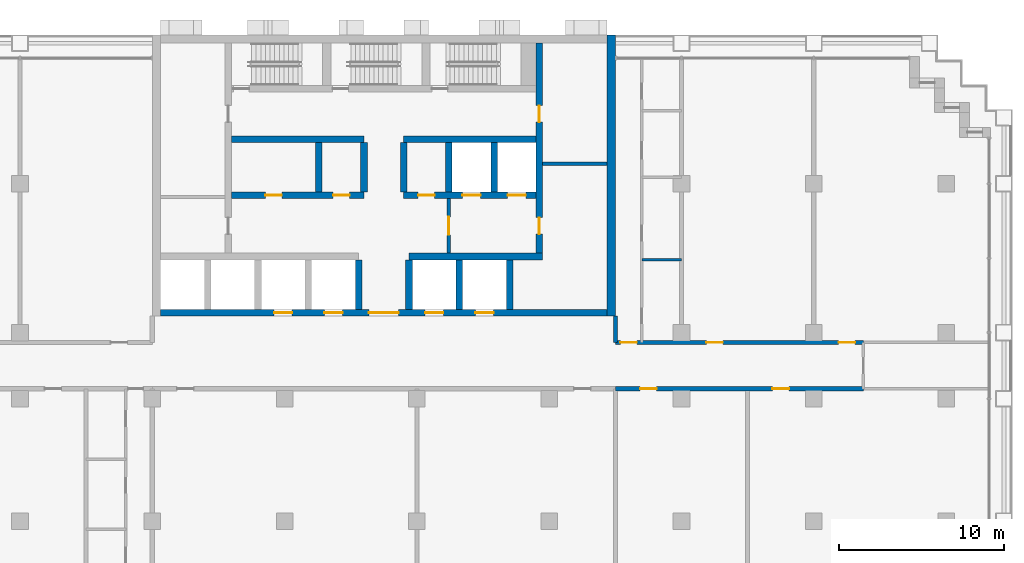
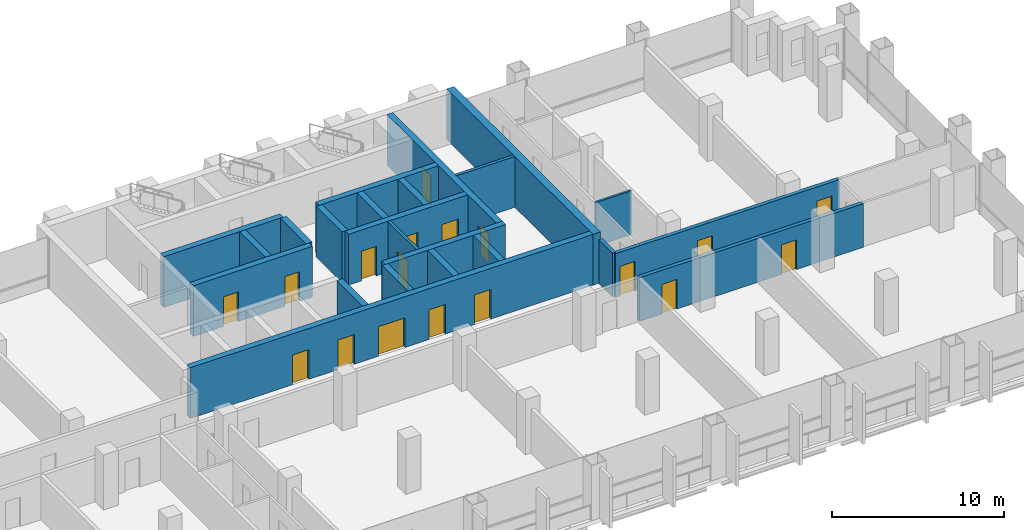
# One storey, part 8 of 13: 23 walls, 18 doors, 18 openings.
"""IFC4 building model written with IfcOpenShell, lengths in metres."""

from ifc_helpers import new_model, si_unit, direction, frame, frame_2d, origin, place, context, subcontext, project, spatial, rectangle, extrude, material, layer, layer_set, type_object, element, fill, save


model = new_model("IFC4")

# Units and contexts
model_context = context("Model", 3, precision=1e-05, world=origin(), true_north=direction((0.0, 1.0)))
body_context = subcontext(model_context, "Body", "Model", "MODEL_VIEW")
ifc_project = project(units=[si_unit("LENGTHUNIT", "METRE"), si_unit("AREAUNIT", "SQUARE_METRE"), si_unit("VOLUMEUNIT", "CUBIC_METRE"), si_unit("PLANEANGLEUNIT", "RADIAN"), si_unit("MASSUNIT", "GRAM", prefix="KILO")], contexts=[model_context])

# Site, building, storey
site_placement = place(None, origin())
site = spatial("IfcSite", under=ifc_project, at=site_placement, CompositionType="ELEMENT")
building_placement = place(site_placement, origin())
building = spatial("IfcBuilding", under=site, at=building_placement, Name="Vidyagriha Tower", CompositionType="ELEMENT")
storey_placement = place(building_placement, frame((0.0, 0.0, 29.89990234375)))
storey = spatial("IfcBuildingStorey", under=building, at=storey_placement, Name="L07", CompositionType="ELEMENT", Elevation=29.89990234375)

# Wall, openings, doors
ifc_material_1 = material(Name="Concrete C60/75", Category="concrete")
ifc_layer_1 = layer(ifc_material_1, 0.39990234375)
ifc_layer_set_1 = layer_set([ifc_layer_1], Name="Concrete C60/75")
wall_type_1 = type_object("IfcWallType", Name="Core shear wall 400 mm", PredefinedType="SHEAR", material=ifc_layer_set_1)
wall_1_placement = place(storey_placement, frame((9.39990234375, 6.800048828125, 0.0), z_axis=(0.0, 0.0, 1.0), x_axis=(0.0, 1.0, 0.0)))
wall_1 = element("IfcWall", 1, at=wall_1_placement, inside=storey, type_object=wall_type_1, Name="Core east spine wall", PredefinedType="SHEAR", context=body_context, shape_type="SweptSolid", body=[
    extrude(rectangle(XDim=12.699951171875, YDim=0.39990234375, at=frame_2d((6.35009765625, 0.0))), origin(), (0.0, 0.0, 1.0), 3.60009765625),
])
opening_1_placement = place(wall_1_placement, frame((1.14990234375, 0.0, 0.0)))
opening_1 = element("IfcOpeningElement", 2, at=opening_1_placement, cuts=wall_1, Name="Opening D07-11", PredefinedType="OPENING", context=body_context, shape_type="SweptSolid", body=[
    extrude(rectangle(XDim=1.0, YDim=2.10009765625, at=frame_2d((0.5, 1.050048828125))), frame((0.0, 0.2099609375, 0.0), z_axis=(0.0, -1.0, 0.0), x_axis=(1.0, 0.0, 0.0)), (0.0, 0.0, 1.0), 0.419921875),
])
opening_2_placement = place(wall_1_placement, frame((7.925048828125, 0.0, 0.0)))
opening_2 = element("IfcOpeningElement", 3, at=opening_2_placement, cuts=wall_1, Name="Opening D07-12", PredefinedType="OPENING", context=body_context, shape_type="SweptSolid", body=[
    extrude(rectangle(XDim=1.0, YDim=2.10009765625, at=frame_2d((0.5, 1.050048828125))), frame((0.0, 0.2099609375, 0.0), z_axis=(0.0, -1.0, 0.0), x_axis=(1.0, 0.0, 0.0)), (0.0, 0.0, 1.0), 0.419921875),
])
ifc_material_2 = material(Name="Hollow metal door leaf")
door_type_1 = type_object("IfcDoorType", Name="Core room door 1000 x 2100 mm EI 60", OperationType="NOTDEFINED", PredefinedType="DOOR", material=ifc_material_2)
door_1_placement = place(opening_1_placement, origin())
door_1 = element("IfcDoor", 4, at=door_1_placement, inside=storey, type_object=door_type_1, Name="Door Cleaners Store 07.E1", OperationType="SINGLE_SWING_RIGHT", OverallHeight=2.10009765625, OverallWidth=1.0, PredefinedType="DOOR", context=body_context, shape_type="SweptSolid", body=[
    extrude(rectangle(XDim=1.0, YDim=2.10009765625, at=frame_2d((0.5, 1.050048828125))), frame((0.0, 0.02490234375, 0.0), z_axis=(0.0, -1.0, 0.0), x_axis=(1.0, 0.0, 0.0)), (0.0, 0.0, 1.0), 0.050048828125),
])
fill(opening_1, door_1)
door_2_placement = place(opening_2_placement, origin())
door_2 = element("IfcDoor", 5, at=door_2_placement, inside=storey, type_object=door_type_1, Name="Door Pressurisation Plant Room 07.E2", OperationType="SINGLE_SWING_LEFT", OverallHeight=2.10009765625, OverallWidth=1.0, PredefinedType="DOOR", context=body_context, shape_type="SweptSolid", body=[
    extrude(rectangle(XDim=1.0, YDim=2.10009765625, at=frame_2d((0.5, 1.050048828125))), frame((0.0, 0.02490234375, 0.0), z_axis=(0.0, -1.0, 0.0), x_axis=(1.0, 0.0, 0.0)), (0.0, 0.0, 1.0), 0.050048828125),
])
fill(opening_2, door_2)

wall_2_placement = place(storey_placement, frame((-13.5, 3.199951171875, 0.0)))
wall_2 = element("IfcWall", 6, at=wall_2_placement, inside=storey, type_object=wall_type_1, Name="Core front wall", PredefinedType="SHEAR", context=body_context, shape_type="SweptSolid", body=[
    extrude(rectangle(XDim=27.0, YDim=0.39990234375, at=frame_2d((13.5, 0.0))), origin(), (0.0, 0.0, 1.0), 3.60009765625),
])
opening_3_placement = place(wall_2_placement, frame((6.861083984375, 0.0, 0.0)))
opening_3 = element("IfcOpeningElement", 7, at=opening_3_placement, cuts=wall_2, Name="Opening LD07-01", PredefinedType="OPENING", context=body_context, shape_type="SweptSolid", body=[
    extrude(rectangle(XDim=1.10009765625, YDim=2.10009765625, at=frame_2d((0.550048828125, 1.050048828125))), frame((0.0, 0.2099609375, 0.0), z_axis=(0.0, -1.0, 0.0), x_axis=(1.0, 0.0, 0.0)), (0.0, 0.0, 1.0), 0.419921875),
])
opening_4_placement = place(wall_2_placement, frame((9.905517578125, 0.0, 0.0)))
opening_4 = element("IfcOpeningElement", 8, at=opening_4_placement, cuts=wall_2, Name="Opening LD07-02", PredefinedType="OPENING", context=body_context, shape_type="SweptSolid", body=[
    extrude(rectangle(XDim=1.10009765625, YDim=2.10009765625, at=frame_2d((0.550048828125, 1.050048828125))), frame((0.0, 0.2099609375, 0.0), z_axis=(0.0, -1.0, 0.0), x_axis=(1.0, 0.0, 0.0)), (0.0, 0.0, 1.0), 0.419921875),
])
opening_5_placement = place(wall_2_placement, frame((15.994384765625, 0.0, 0.0)))
opening_5 = element("IfcOpeningElement", 9, at=opening_5_placement, cuts=wall_2, Name="Opening LD07-03", PredefinedType="OPENING", context=body_context, shape_type="SweptSolid", body=[
    extrude(rectangle(XDim=1.10009765625, YDim=2.10009765625, at=frame_2d((0.550048828125, 1.050048828125))), frame((0.0, 0.2099609375, 0.0), z_axis=(0.0, -1.0, 0.0), x_axis=(1.0, 0.0, 0.0)), (0.0, 0.0, 1.0), 0.419921875),
])
opening_6_placement = place(wall_2_placement, frame((19.038818359375, 0.0, 0.0)))
opening_6 = element("IfcOpeningElement", 10, at=opening_6_placement, cuts=wall_2, Name="Opening LD07-04", PredefinedType="OPENING", context=body_context, shape_type="SweptSolid", body=[
    extrude(rectangle(XDim=1.10009765625, YDim=2.10009765625, at=frame_2d((0.550048828125, 1.050048828125))), frame((0.0, 0.2099609375, 0.0), z_axis=(0.0, -1.0, 0.0), x_axis=(1.0, 0.0, 0.0)), (0.0, 0.0, 1.0), 0.419921875),
])
opening_7_placement = place(wall_2_placement, frame((12.60009765625, 0.0, 0.0)))
opening_7 = element("IfcOpeningElement", 11, at=opening_7_placement, cuts=wall_2, Name="Opening D07-01", PredefinedType="OPENING", context=body_context, shape_type="SweptSolid", body=[
    extrude(rectangle(XDim=1.800048828125, YDim=2.10009765625, at=frame_2d((0.89990234375, 1.050048828125))), frame((0.0, 0.2099609375, 0.0), z_axis=(0.0, -1.0, 0.0), x_axis=(1.0, 0.0, 0.0)), (0.0, 0.0, 1.0), 0.419921875),
])
ifc_material_3 = material(Name="Hollow metal door leaf")
door_type_2 = type_object("IfcDoorType", Name="Core lobby double door 1800 x 2100 mm EI 60", OperationType="NOTDEFINED", PredefinedType="DOOR", material=ifc_material_3)
door_3_placement = place(opening_7_placement, frame((1.800048828125, 0.0, 0.0), z_axis=(0.0, 0.0, 1.0), x_axis=(-1.0, 0.0, 0.0)))
door_3 = element("IfcDoor", 12, at=door_3_placement, inside=storey, type_object=door_type_2, Name="Core entrance door L07", OperationType="DOUBLE_DOOR_SINGLE_SWING", OverallHeight=2.10009765625, OverallWidth=1.800048828125, PredefinedType="DOOR", context=body_context, shape_type="SweptSolid", body=[
    extrude(rectangle(XDim=1.800048828125, YDim=2.10009765625, at=frame_2d((0.89990234375, 1.050048828125))), frame((0.0, 0.02490234375, 0.0), z_axis=(0.0, -1.0, 0.0), x_axis=(1.0, 0.0, 0.0)), (0.0, 0.0, 1.0), 0.050048828125),
])
fill(opening_7, door_3)
ifc_material_4 = material(Name="Stainless steel sliding door panel", Category="steel")
door_type_3 = type_object("IfcDoorType", Name="Lift landing door 1100 x 2100 mm EI 90", OperationType="NOTDEFINED", PredefinedType="DOOR", material=ifc_material_4)
door_4_placement = place(opening_3_placement, origin())
door_4 = element("IfcDoor", 13, at=door_4_placement, inside=storey, type_object=door_type_3, Name="Landing door LR1 L07", OperationType="SLIDING_TO_LEFT", OverallHeight=2.10009765625, OverallWidth=1.10009765625, PredefinedType="DOOR", context=body_context, shape_type="SweptSolid", body=[
    extrude(rectangle(XDim=1.10009765625, YDim=2.10009765625, at=frame_2d((0.550048828125, 1.050048828125))), frame((0.0, 0.02490234375, 0.0), z_axis=(0.0, -1.0, 0.0), x_axis=(1.0, 0.0, 0.0)), (0.0, 0.0, 1.0), 0.050048828125),
])
fill(opening_3, door_4)
door_5_placement = place(opening_4_placement, origin())
door_5 = element("IfcDoor", 14, at=door_5_placement, inside=storey, type_object=door_type_3, Name="Landing door LR2 L07", OperationType="SLIDING_TO_LEFT", OverallHeight=2.10009765625, OverallWidth=1.10009765625, PredefinedType="DOOR", context=body_context, shape_type="SweptSolid", body=[
    extrude(rectangle(XDim=1.10009765625, YDim=2.10009765625, at=frame_2d((0.550048828125, 1.050048828125))), frame((0.0, 0.02490234375, 0.0), z_axis=(0.0, -1.0, 0.0), x_axis=(1.0, 0.0, 0.0)), (0.0, 0.0, 1.0), 0.050048828125),
])
fill(opening_4, door_5)
door_6_placement = place(opening_5_placement, origin())
door_6 = element("IfcDoor", 15, at=door_6_placement, inside=storey, type_object=door_type_3, Name="Landing door LR3 L07", OperationType="SLIDING_TO_LEFT", OverallHeight=2.10009765625, OverallWidth=1.10009765625, PredefinedType="DOOR", context=body_context, shape_type="SweptSolid", body=[
    extrude(rectangle(XDim=1.10009765625, YDim=2.10009765625, at=frame_2d((0.550048828125, 1.050048828125))), frame((0.0, 0.02490234375, 0.0), z_axis=(0.0, -1.0, 0.0), x_axis=(1.0, 0.0, 0.0)), (0.0, 0.0, 1.0), 0.050048828125),
])
fill(opening_5, door_6)
door_7_placement = place(opening_6_placement, origin())
door_7 = element("IfcDoor", 16, at=door_7_placement, inside=storey, type_object=door_type_3, Name="Landing door LR4 L07", OperationType="SLIDING_TO_LEFT", OverallHeight=2.10009765625, OverallWidth=1.10009765625, PredefinedType="DOOR", context=body_context, shape_type="SweptSolid", body=[
    extrude(rectangle(XDim=1.10009765625, YDim=2.10009765625, at=frame_2d((0.550048828125, 1.050048828125))), frame((0.0, 0.02490234375, 0.0), z_axis=(0.0, -1.0, 0.0), x_axis=(1.0, 0.0, 0.0)), (0.0, 0.0, 1.0), 0.050048828125),
])
fill(opening_6, door_7)

# Walls
wall_3_placement = place(storey_placement, frame((1.522216796875, 6.60009765625, 0.0)))
element("IfcWall", 17, at=wall_3_placement, inside=storey, type_object=wall_type_1, Name="Core lobby south wall east", PredefinedType="SHEAR", context=body_context, shape_type="SweptSolid", body=[
    extrude(rectangle(XDim=8.077880859375, YDim=0.39990234375, at=frame_2d((4.0390625, 0.0))), origin(), (0.0, 0.0, 1.0), 3.60009765625),
])
for number, where, z_axis, x_axis, name in (
    (18, (-1.522216796875, 3.39990234375, 0.0), (0.0, 0.0, 1.0), (0.0, 1.0, 0.0), "Core bay wall S4"),
    (19, (1.522216796875, 3.39990234375, 0.0), (0.0, 0.0, 1.0), (0.0, 1.0, 0.0), "Core bay wall S5"),
    (20, (4.566650390625, 3.39990234375, 0.0), (0.0, 0.0, 1.0), (0.0, 1.0, 0.0), "Core bay wall S6"),
    (21, (7.611083984375, 3.39990234375, 0.0), (0.0, 0.0, 1.0), (0.0, 1.0, 0.0), "Core bay wall S7"),
):
    element("IfcWall", number, at=place(storey_placement, frame(where, z_axis=z_axis, x_axis=x_axis)), inside=storey, type_object=wall_type_1, Name=name, PredefinedType="SHEAR", context=body_context, shape_type="SweptSolid", body=[
        extrude(rectangle(XDim=3.0, YDim=0.39990234375, at=frame_2d((1.5, 0.0))), origin(), (0.0, 0.0, 1.0), 3.60009765625),
    ])

# Wall, openings, doors
wall_4_placement = place(storey_placement, frame((-9.199951171875, 10.300048828125, 0.0)))
wall_4 = element("IfcWall", 22, at=wall_4_placement, inside=storey, type_object=wall_type_1, Name="Core row N front wall", PredefinedType="SHEAR", context=body_context, shape_type="SweptSolid", body=[
    extrude(rectangle(XDim=8.0, YDim=0.39990234375, at=frame_2d((4.0, 0.0))), origin(), (0.0, 0.0, 1.0), 3.60009765625),
])
opening_8_placement = place(wall_4_placement, frame((2.033203125, 0.0, 0.0)))
opening_8 = element("IfcOpeningElement", 23, at=opening_8_placement, cuts=wall_4, Name="Opening D07-02", PredefinedType="OPENING", context=body_context, shape_type="SweptSolid", body=[
    extrude(rectangle(XDim=1.0, YDim=2.10009765625, at=frame_2d((0.5, 1.050048828125))), frame((0.0, 0.2099609375, 0.0), z_axis=(0.0, -1.0, 0.0), x_axis=(1.0, 0.0, 0.0)), (0.0, 0.0, 1.0), 0.419921875),
])
opening_9_placement = place(wall_4_placement, frame((6.13330078125, 0.0, 0.0)))
opening_9 = element("IfcOpeningElement", 24, at=opening_9_placement, cuts=wall_4, Name="Opening D07-03", PredefinedType="OPENING", context=body_context, shape_type="SweptSolid", body=[
    extrude(rectangle(XDim=1.0, YDim=2.10009765625, at=frame_2d((0.5, 1.050048828125))), frame((0.0, 0.2099609375, 0.0), z_axis=(0.0, -1.0, 0.0), x_axis=(1.0, 0.0, 0.0)), (0.0, 0.0, 1.0), 0.419921875),
])
door_8_placement = place(opening_8_placement, frame((1.0, 0.0, 0.0), z_axis=(0.0, 0.0, 1.0), x_axis=(-1.0, 0.0, 0.0)))
door_8 = element("IfcDoor", 25, at=door_8_placement, inside=storey, type_object=door_type_1, Name="Door Switchgear Room 07.14", OperationType="SINGLE_SWING_RIGHT", OverallHeight=2.10009765625, OverallWidth=1.0, PredefinedType="DOOR", context=body_context, shape_type="SweptSolid", body=[
    extrude(rectangle(XDim=1.0, YDim=2.10009765625, at=frame_2d((0.5, 1.050048828125))), frame((0.0, 0.02490234375, 0.0), z_axis=(0.0, -1.0, 0.0), x_axis=(1.0, 0.0, 0.0)), (0.0, 0.0, 1.0), 0.050048828125),
])
fill(opening_8, door_8)
door_9_placement = place(opening_9_placement, frame((1.0, 0.0, 0.0), z_axis=(0.0, 0.0, 1.0), x_axis=(-1.0, 0.0, 0.0)))
door_9 = element("IfcDoor", 26, at=door_9_placement, inside=storey, type_object=door_type_1, Name="Door Storage Room 07.15", OperationType="SINGLE_SWING_LEFT", OverallHeight=2.10009765625, OverallWidth=1.0, PredefinedType="DOOR", context=body_context, shape_type="SweptSolid", body=[
    extrude(rectangle(XDim=1.0, YDim=2.10009765625, at=frame_2d((0.5, 1.050048828125))), frame((0.0, 0.02490234375, 0.0), z_axis=(0.0, -1.0, 0.0), x_axis=(1.0, 0.0, 0.0)), (0.0, 0.0, 1.0), 0.050048828125),
])
fill(opening_9, door_9)

# Wall
wall_5_placement = place(storey_placement, frame((-9.199951171875, 13.699951171875, 0.0)))
element("IfcWall", 27, at=wall_5_placement, inside=storey, type_object=wall_type_1, Name="Core row N rear wall", PredefinedType="SHEAR", context=body_context, shape_type="SweptSolid", body=[
    extrude(rectangle(XDim=8.0, YDim=0.39990234375, at=frame_2d((4.0, 0.0))), origin(), (0.0, 0.0, 1.0), 3.60009765625),
])

# Wall, openings, doors
wall_6_placement = place(storey_placement, frame((1.199951171875, 10.300048828125, 0.0)))
wall_6 = element("IfcWall", 28, at=wall_6_placement, inside=storey, type_object=wall_type_1, Name="Core row N front wall", PredefinedType="SHEAR", context=body_context, shape_type="SweptSolid", body=[
    extrude(rectangle(XDim=8.0, YDim=0.39990234375, at=frame_2d((4.0, 0.0))), origin(), (0.0, 0.0, 1.0), 3.60009765625),
])
opening_10_placement = place(wall_6_placement, frame((3.550048828125, 0.0, 0.0)))
opening_10 = element("IfcOpeningElement", 29, at=opening_10_placement, cuts=wall_6, Name="Opening LD07-05", PredefinedType="OPENING", context=body_context, shape_type="SweptSolid", body=[
    extrude(rectangle(XDim=1.10009765625, YDim=2.10009765625, at=frame_2d((0.550048828125, 1.050048828125))), frame((0.0, 0.2099609375, 0.0), z_axis=(0.0, -1.0, 0.0), x_axis=(1.0, 0.0, 0.0)), (0.0, 0.0, 1.0), 0.419921875),
])
opening_11_placement = place(wall_6_placement, frame((6.283203125, 0.0, 0.0)))
opening_11 = element("IfcOpeningElement", 30, at=opening_11_placement, cuts=wall_6, Name="Opening LD07-06", PredefinedType="OPENING", context=body_context, shape_type="SweptSolid", body=[
    extrude(rectangle(XDim=1.10009765625, YDim=2.10009765625, at=frame_2d((0.550048828125, 1.050048828125))), frame((0.0, 0.2099609375, 0.0), z_axis=(0.0, -1.0, 0.0), x_axis=(1.0, 0.0, 0.0)), (0.0, 0.0, 1.0), 0.419921875),
])
opening_12_placement = place(wall_6_placement, frame((0.86669921875, 0.0, 0.0)))
opening_12 = element("IfcOpeningElement", 31, at=opening_12_placement, cuts=wall_6, Name="Opening D07-04", PredefinedType="OPENING", context=body_context, shape_type="SweptSolid", body=[
    extrude(rectangle(XDim=1.0, YDim=2.10009765625, at=frame_2d((0.5, 1.050048828125))), frame((0.0, 0.2099609375, 0.0), z_axis=(0.0, -1.0, 0.0), x_axis=(1.0, 0.0, 0.0)), (0.0, 0.0, 1.0), 0.419921875),
])
door_10_placement = place(opening_12_placement, frame((1.0, 0.0, 0.0), z_axis=(0.0, 0.0, 1.0), x_axis=(-1.0, 0.0, 0.0)))
door_10 = element("IfcDoor", 32, at=door_10_placement, inside=storey, type_object=door_type_1, Name="Door Communications Room 07.16", OperationType="SINGLE_SWING_LEFT", OverallHeight=2.10009765625, OverallWidth=1.0, PredefinedType="DOOR", context=body_context, shape_type="SweptSolid", body=[
    extrude(rectangle(XDim=1.0, YDim=2.10009765625, at=frame_2d((0.5, 1.050048828125))), frame((0.0, 0.02490234375, 0.0), z_axis=(0.0, -1.0, 0.0), x_axis=(1.0, 0.0, 0.0)), (0.0, 0.0, 1.0), 0.050048828125),
])
fill(opening_12, door_10)
door_11_placement = place(opening_10_placement, origin())
door_11 = element("IfcDoor", 33, at=door_11_placement, inside=storey, type_object=door_type_3, Name="Landing door FF1 L07", OperationType="SLIDING_TO_LEFT", OverallHeight=2.10009765625, OverallWidth=1.10009765625, PredefinedType="DOOR", context=body_context, shape_type="SweptSolid", body=[
    extrude(rectangle(XDim=1.10009765625, YDim=2.10009765625, at=frame_2d((0.550048828125, 1.050048828125))), frame((0.0, 0.02490234375, 0.0), z_axis=(0.0, -1.0, 0.0), x_axis=(1.0, 0.0, 0.0)), (0.0, 0.0, 1.0), 0.050048828125),
])
fill(opening_10, door_11)
door_12_placement = place(opening_11_placement, origin())
door_12 = element("IfcDoor", 34, at=door_12_placement, inside=storey, type_object=door_type_3, Name="Landing door FF2 L07", OperationType="SLIDING_TO_LEFT", OverallHeight=2.10009765625, OverallWidth=1.10009765625, PredefinedType="DOOR", context=body_context, shape_type="SweptSolid", body=[
    extrude(rectangle(XDim=1.10009765625, YDim=2.10009765625, at=frame_2d((0.550048828125, 1.050048828125))), frame((0.0, 0.02490234375, 0.0), z_axis=(0.0, -1.0, 0.0), x_axis=(1.0, 0.0, 0.0)), (0.0, 0.0, 1.0), 0.050048828125),
])
fill(opening_11, door_12)

# Walls
wall_7_placement = place(storey_placement, frame((1.199951171875, 13.699951171875, 0.0)))
element("IfcWall", 35, at=wall_7_placement, inside=storey, type_object=wall_type_1, Name="Core row N rear wall", PredefinedType="SHEAR", context=body_context, shape_type="SweptSolid", body=[
    extrude(rectangle(XDim=8.0, YDim=0.39990234375, at=frame_2d((4.0, 0.0))), origin(), (0.0, 0.0, 1.0), 3.60009765625),
])
for number, where, z_axis, x_axis, name in (
    (36, (-3.933349609375, 10.5, 0.0), (0.0, 0.0, 1.0), (0.0, 1.0, 0.0), "Core bay wall N2"),
    (37, (-1.199951171875, 10.5, 0.0), (0.0, 0.0, 1.0), (0.0, 1.0, 0.0), "Core bay wall N3"),
    (38, (1.199951171875, 10.5, 0.0), (0.0, 0.0, 1.0), (0.0, 1.0, 0.0), "Core bay wall N4"),
    (39, (3.933349609375, 10.5, 0.0), (0.0, 0.0, 1.0), (0.0, 1.0, 0.0), "Core bay wall N5"),
    (40, (6.666748046875, 10.5, 0.0), (0.0, 0.0, 1.0), (0.0, 1.0, 0.0), "Core bay wall N6"),
):
    element("IfcWall", number, at=place(storey_placement, frame(where, z_axis=z_axis, x_axis=x_axis)), inside=storey, type_object=wall_type_1, Name=name, PredefinedType="SHEAR", context=body_context, shape_type="SweptSolid", body=[
        extrude(rectangle(XDim=3.0, YDim=0.39990234375, at=frame_2d((1.5, 0.0))), origin(), (0.0, 0.0, 1.0), 3.60009765625),
    ])
ifc_material_5 = material(Name="Concrete C60/75", Category="concrete")
ifc_layer_2 = layer(ifc_material_5, 0.5)
ifc_layer_set_2 = layer_set([ifc_layer_2], Name="Concrete C60/75")
wall_type_2 = type_object("IfcWallType", Name="Core shear wall 500 mm", PredefinedType="SHEAR", material=ifc_layer_set_2)
wall_8_placement = place(storey_placement, frame((13.75, 3.0, 0.0), z_axis=(0.0, 0.0, 1.0), x_axis=(0.0, 1.0, 0.0)))
element("IfcWall", 41, at=wall_8_placement, inside=storey, type_object=wall_type_2, Name="Core east wall", PredefinedType="SHEAR", context=body_context, shape_type="SweptSolid", body=[
    extrude(rectangle(XDim=17.0, YDim=0.5, at=frame_2d((8.5, 0.0))), origin(), (0.0, 0.0, 1.0), 3.60009765625),
])

# Wall, openings, doors
ifc_material_6 = material(Name="Fired clay brick masonry", Category="masonry")
ifc_layer_3 = layer(ifc_material_6, 0.25)
ifc_layer_set_3 = layer_set([ifc_layer_3], Name="Fired clay brick masonry")
wall_type_3 = type_object("IfcWallType", Name="Fired clay brick corridor wall 250", PredefinedType="PARTITIONING", material=ifc_layer_set_3)
wall_9_placement = place(storey_placement, frame((29.0, -1.39990234375, 0.0), z_axis=(0.0, 0.0, 1.0), x_axis=(-1.0, 0.0, 0.0)))
wall_9 = element("IfcWall", 42, at=wall_9_placement, inside=storey, type_object=wall_type_3, Name="Wall all-L07-w024", PredefinedType="PARTITIONING", context=body_context, shape_type="SweptSolid", body=[
    extrude(rectangle(XDim=15.0, YDim=0.25, at=frame_2d((7.5, 0.0))), origin(), (0.0, 0.0, 1.0), 3.10009765625),
])
opening_13_placement = place(wall_9_placement, frame((12.5, 0.0, 0.0)))
opening_13 = element("IfcOpeningElement", 43, at=opening_13_placement, cuts=wall_9, Name="Opening D07-23", PredefinedType="OPENING", context=body_context, shape_type="SweptSolid", body=[
    extrude(rectangle(XDim=1.0, YDim=2.10009765625, at=frame_2d((0.5, 1.050048828125))), frame((0.0, 0.135009765625, 0.0), z_axis=(0.0, -1.0, 0.0), x_axis=(1.0, 0.0, 0.0)), (0.0, 0.0, 1.0), 0.27001953125),
])
opening_14_placement = place(wall_9_placement, frame((4.5, 0.0, 0.0)))
opening_14 = element("IfcOpeningElement", 44, at=opening_14_placement, cuts=wall_9, Name="Opening D07-24", PredefinedType="OPENING", context=body_context, shape_type="SweptSolid", body=[
    extrude(rectangle(XDim=1.0, YDim=2.10009765625, at=frame_2d((0.5, 1.050048828125))), frame((0.0, 0.135009765625, 0.0), z_axis=(0.0, -1.0, 0.0), x_axis=(1.0, 0.0, 0.0)), (0.0, 0.0, 1.0), 0.27001953125),
])
ifc_material_7 = material(Name="Fire-rated timber door leaf EI 60", Category="wood")
door_type_4 = type_object("IfcDoorType", Name="Flat entrance fire door 1000x2100", OperationType="NOTDEFINED", PredefinedType="DOOR", material=ifc_material_7)
door_13_placement = place(opening_13_placement, origin())
door_13 = element("IfcDoor", 45, at=door_13_placement, inside=storey, type_object=door_type_4, Name="Door D07-23", OperationType="SINGLE_SWING_RIGHT", OverallHeight=2.10009765625, OverallWidth=1.0, PredefinedType="DOOR", context=body_context, shape_type="SweptSolid", body=[
    extrude(rectangle(XDim=1.0, YDim=2.10009765625, at=frame_2d((0.5, 1.050048828125))), frame((0.0, 0.02490234375, 0.0), z_axis=(0.0, -1.0, 0.0), x_axis=(1.0, 0.0, 0.0)), (0.0, 0.0, 1.0), 0.050048828125),
])
fill(opening_13, door_13)
door_14_placement = place(opening_14_placement, origin())
door_14 = element("IfcDoor", 46, at=door_14_placement, inside=storey, type_object=door_type_4, Name="Door D07-24", OperationType="SINGLE_SWING_RIGHT", OverallHeight=2.10009765625, OverallWidth=1.0, PredefinedType="DOOR", context=body_context, shape_type="SweptSolid", body=[
    extrude(rectangle(XDim=1.0, YDim=2.10009765625, at=frame_2d((0.5, 1.050048828125))), frame((0.0, 0.02490234375, 0.0), z_axis=(0.0, -1.0, 0.0), x_axis=(1.0, 0.0, 0.0)), (0.0, 0.0, 1.0), 0.050048828125),
])
fill(opening_14, door_14)

wall_10_placement = place(storey_placement, frame((14.0, 1.39990234375, 0.0)))
wall_10 = element("IfcWall", 47, at=wall_10_placement, inside=storey, type_object=wall_type_3, Name="Wall all-L07-w032", PredefinedType="PARTITIONING", context=body_context, shape_type="SweptSolid", body=[
    extrude(rectangle(XDim=15.0, YDim=0.25, at=frame_2d((7.5, 0.0))), origin(), (0.0, 0.0, 1.0), 3.10009765625),
])
opening_15_placement = place(wall_10_placement, frame((0.300048828125, 0.0, 0.0)))
opening_15 = element("IfcOpeningElement", 48, at=opening_15_placement, cuts=wall_10, Name="Opening D07-30", PredefinedType="OPENING", context=body_context, shape_type="SweptSolid", body=[
    extrude(rectangle(XDim=1.0, YDim=2.10009765625, at=frame_2d((0.5, 1.050048828125))), frame((0.0, 0.135009765625, 0.0), z_axis=(0.0, -1.0, 0.0), x_axis=(1.0, 0.0, 0.0)), (0.0, 0.0, 1.0), 0.27001953125),
])
opening_16_placement = place(wall_10_placement, frame((5.5, 0.0, 0.0)))
opening_16 = element("IfcOpeningElement", 49, at=opening_16_placement, cuts=wall_10, Name="Opening D07-31", PredefinedType="OPENING", context=body_context, shape_type="SweptSolid", body=[
    extrude(rectangle(XDim=1.0, YDim=2.10009765625, at=frame_2d((0.5, 1.050048828125))), frame((0.0, 0.135009765625, 0.0), z_axis=(0.0, -1.0, 0.0), x_axis=(1.0, 0.0, 0.0)), (0.0, 0.0, 1.0), 0.27001953125),
])
opening_17_placement = place(wall_10_placement, frame((13.5, 0.0, 0.0)))
opening_17 = element("IfcOpeningElement", 50, at=opening_17_placement, cuts=wall_10, Name="Opening D07-32", PredefinedType="OPENING", context=body_context, shape_type="SweptSolid", body=[
    extrude(rectangle(XDim=1.0, YDim=2.10009765625, at=frame_2d((0.5, 1.050048828125))), frame((0.0, 0.135009765625, 0.0), z_axis=(0.0, -1.0, 0.0), x_axis=(1.0, 0.0, 0.0)), (0.0, 0.0, 1.0), 0.27001953125),
])
door_15_placement = place(opening_15_placement, origin())
door_15 = element("IfcDoor", 51, at=door_15_placement, inside=storey, type_object=door_type_4, Name="Door D07-30", OperationType="SINGLE_SWING_RIGHT", OverallHeight=2.10009765625, OverallWidth=1.0, PredefinedType="DOOR", context=body_context, shape_type="SweptSolid", body=[
    extrude(rectangle(XDim=1.0, YDim=2.10009765625, at=frame_2d((0.5, 1.050048828125))), frame((0.0, 0.02490234375, 0.0), z_axis=(0.0, -1.0, 0.0), x_axis=(1.0, 0.0, 0.0)), (0.0, 0.0, 1.0), 0.050048828125),
])
fill(opening_15, door_15)
door_16_placement = place(opening_16_placement, origin())
door_16 = element("IfcDoor", 52, at=door_16_placement, inside=storey, type_object=door_type_4, Name="Door D07-31", OperationType="SINGLE_SWING_LEFT", OverallHeight=2.10009765625, OverallWidth=1.0, PredefinedType="DOOR", context=body_context, shape_type="SweptSolid", body=[
    extrude(rectangle(XDim=1.0, YDim=2.10009765625, at=frame_2d((0.5, 1.050048828125))), frame((0.0, 0.02490234375, 0.0), z_axis=(0.0, -1.0, 0.0), x_axis=(1.0, 0.0, 0.0)), (0.0, 0.0, 1.0), 0.050048828125),
])
fill(opening_16, door_16)
door_17_placement = place(opening_17_placement, origin())
door_17 = element("IfcDoor", 53, at=door_17_placement, inside=storey, type_object=door_type_4, Name="Door D07-32", OperationType="SINGLE_SWING_LEFT", OverallHeight=2.10009765625, OverallWidth=1.0, PredefinedType="DOOR", context=body_context, shape_type="SweptSolid", body=[
    extrude(rectangle(XDim=1.0, YDim=2.10009765625, at=frame_2d((0.5, 1.050048828125))), frame((0.0, 0.02490234375, 0.0), z_axis=(0.0, -1.0, 0.0), x_axis=(1.0, 0.0, 0.0)), (0.0, 0.0, 1.0), 0.050048828125),
])
fill(opening_17, door_17)

# Walls
wall_11_placement = place(storey_placement, frame((14.0, 1.39990234375, 0.0), z_axis=(0.0, 0.0, 1.0), x_axis=(0.0, 1.0, 0.0)))
element("IfcWall", 54, at=wall_11_placement, inside=storey, type_object=wall_type_3, Name="Wall all-L07-w052", PredefinedType="PARTITIONING", context=body_context, shape_type="SweptSolid", body=[
    extrude(rectangle(XDim=1.60009765625, YDim=0.25, at=frame_2d((0.800048828125, 0.0))), origin(), (0.0, 0.0, 1.0), 3.10009765625),
])
ifc_material_8 = material(Name="Gypsum board partition")
ifc_layer_4 = layer(ifc_material_8, 0.14990234375)
ifc_layer_set_4 = layer_set([ifc_layer_4], Name="Gypsum board partition")
wall_type_4 = type_object("IfcWallType", Name="Gypsum board partition 150", PredefinedType="PARTITIONING", material=ifc_layer_set_4)
wall_12_placement = place(storey_placement, frame((15.60009765625, 6.39990234375, 0.0)))
element("IfcWall", 55, at=wall_12_placement, inside=storey, type_object=wall_type_4, Name="Wall all-L07-w036", PredefinedType="PARTITIONING", context=body_context, shape_type="SweptSolid", body=[
    extrude(rectangle(XDim=2.39990234375, YDim=0.14990234375, at=frame_2d((1.199951171875, 0.0))), origin(), (0.0, 0.0, 1.0), 3.10009765625),
])

# Wall, opening, door
ifc_material_9 = material(Name="Blockwork 15 MPa", Category="masonry")
ifc_layer_5 = layer(ifc_material_9, 0.199951171875)
ifc_layer_set_5 = layer_set([ifc_layer_5], Name="Blockwork 15 MPa")
wall_type_5 = type_object("IfcWallType", Name="Service room partition 200 mm", PredefinedType="PARTITIONING", material=ifc_layer_set_5)
wall_13_placement = place(storey_placement, frame((3.933349609375, 6.800048828125, 0.0), z_axis=(0.0, 0.0, 1.0), x_axis=(0.0, 1.0, 0.0)))
wall_13 = element("IfcWall", 56, at=wall_13_placement, inside=storey, type_object=wall_type_5, Name="Fire-fighting lobby west wall", PredefinedType="PARTITIONING", context=body_context, shape_type="SweptSolid", body=[
    extrude(rectangle(XDim=3.300048828125, YDim=0.199951171875, at=frame_2d((1.64990234375, 0.0))), origin(), (0.0, 0.0, 1.0), 3.60009765625),
])
opening_18_placement = place(wall_13_placement, frame((1.10009765625, 0.0, 0.0)))
opening_18 = element("IfcOpeningElement", 57, at=opening_18_placement, cuts=wall_13, Name="Opening D07-05", PredefinedType="OPENING", context=body_context, shape_type="SweptSolid", body=[
    extrude(rectangle(XDim=1.10009765625, YDim=2.10009765625, at=frame_2d((0.550048828125, 1.050048828125))), frame((0.0, 0.10986328125, 0.0), z_axis=(0.0, -1.0, 0.0), x_axis=(1.0, 0.0, 0.0)), (0.0, 0.0, 1.0), 0.219970703125),
])
ifc_material_10 = material(Name="Hollow metal door leaf")
door_type_5 = type_object("IfcDoorType", Name="Fire-fighting lobby door 1100 x 2100 mm EI 90", OperationType="NOTDEFINED", PredefinedType="DOOR", material=ifc_material_10)
door_18_placement = place(opening_18_placement, origin())
door_18 = element("IfcDoor", 58, at=door_18_placement, inside=storey, type_object=door_type_5, Name="Fire-fighting lobby door L07", OperationType="SINGLE_SWING_RIGHT", OverallHeight=2.10009765625, OverallWidth=1.10009765625, PredefinedType="DOOR", context=body_context, shape_type="SweptSolid", body=[
    extrude(rectangle(XDim=1.10009765625, YDim=2.10009765625, at=frame_2d((0.550048828125, 1.050048828125))), frame((0.0, 0.02490234375, 0.0), z_axis=(0.0, -1.0, 0.0), x_axis=(1.0, 0.0, 0.0)), (0.0, 0.0, 1.0), 0.050048828125),
])
fill(opening_18, door_18)

# Wall
wall_14_placement = place(storey_placement, frame((9.60009765625, 12.199951171875, 0.0)))
element("IfcWall", 59, at=wall_14_placement, inside=storey, type_object=wall_type_5, Name="Core room partition E1", PredefinedType="PARTITIONING", context=body_context, shape_type="SweptSolid", body=[
    extrude(rectangle(XDim=3.89990234375, YDim=0.199951171875, at=frame_2d((1.949951171875, 0.0))), origin(), (0.0, 0.0, 1.0), 3.60009765625),
])

save(model, "model.ifc")
